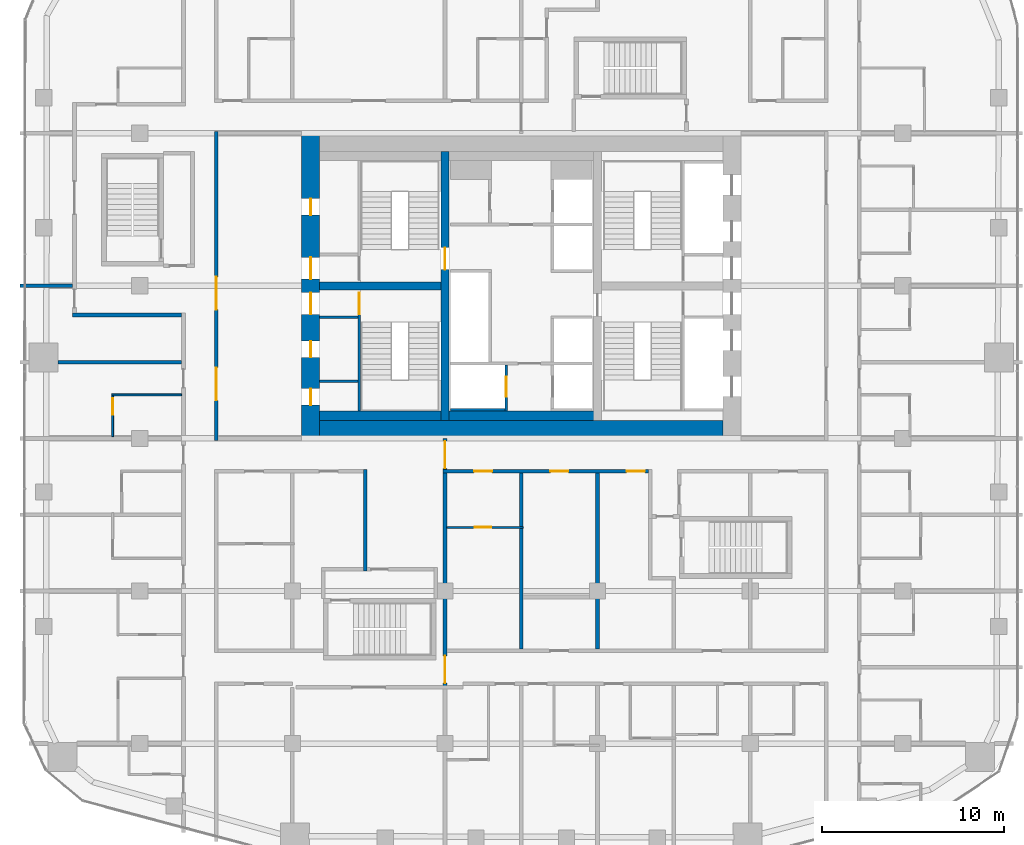
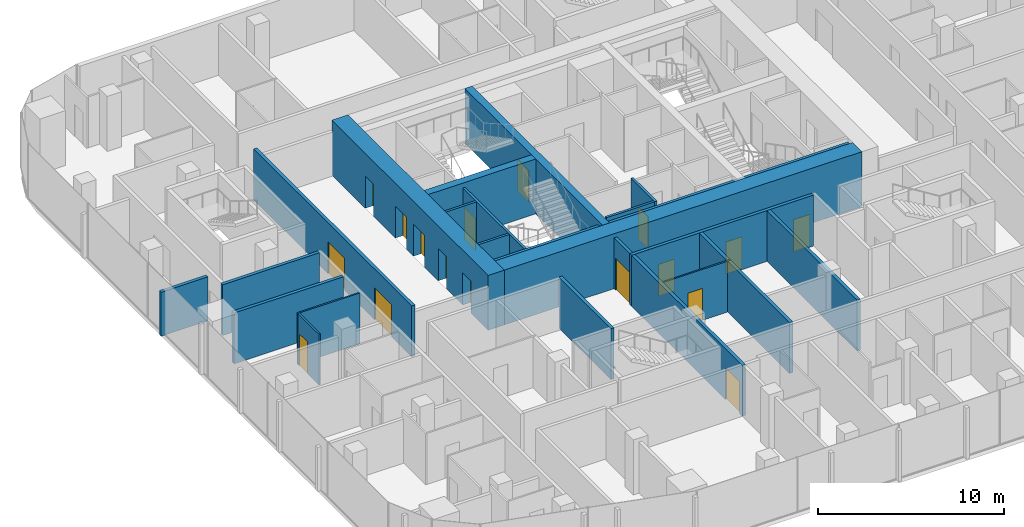
# One storey, part 15 of 23: 22 walls, 17 doors, 17 openings.
"""IFC4 building model written with IfcOpenShell, lengths in metres."""

from ifc_helpers import new_model, si_unit, direction, frame, frame_2d, origin, place, context, subcontext, project, spatial, rectangle, extrude, material, layer, layer_set, type_object, element, fill, save


model = new_model("IFC4")

# Units and contexts
model_context = context("Model", 3, precision=1e-05, world=origin(), true_north=direction((0.0, 1.0)))
body_context = subcontext(model_context, "Body", "Model", "MODEL_VIEW")
ifc_project = project(units=[si_unit("LENGTHUNIT", "METRE"), si_unit("AREAUNIT", "SQUARE_METRE"), si_unit("VOLUMEUNIT", "CUBIC_METRE"), si_unit("PLANEANGLEUNIT", "RADIAN"), si_unit("MASSUNIT", "GRAM", prefix="KILO")], contexts=[model_context])

# Site, building, storey
site_placement = place(None, origin())
site = spatial("IfcSite", under=ifc_project, at=site_placement, CompositionType="ELEMENT")
building_placement = place(site_placement, origin())
building = spatial("IfcBuilding", under=site, at=building_placement, Name="Marenta Gate Hotel Tower", CompositionType="ELEMENT")
storey_placement = place(building_placement, frame((0.0, 0.0, 140.89990234375)))
storey = spatial("IfcBuildingStorey", under=building, at=storey_placement, Name="L32", CompositionType="ELEMENT", Elevation=140.89990234375)

# Wall, openings, doors
ifc_material_1 = material(Name="Concrete blockwork", Category="masonry")
ifc_layer_1 = layer(ifc_material_1, 0.199951171875)
ifc_layer_set_1 = layer_set([ifc_layer_1], Name="Concrete blockwork")
wall_type_1 = type_object("IfcWallType", Name="Compartment wall 200 REI 180", PredefinedType="PARTITIONING", material=ifc_layer_set_1)
wall_1_placement = place(storey_placement, frame((-4.199951171875, -13.800048828125, 0.0), z_axis=(0.0, 0.0, 1.0), x_axis=(0.0, 1.0, 0.0)))
wall_1 = element("IfcWall", 1, at=wall_1_placement, inside=storey, type_object=wall_type_1, Name="L32-PTN-W084", PredefinedType="PARTITIONING", context=body_context, shape_type="SweptSolid", body=[
    extrude(rectangle(XDim=13.800048828125, YDim=0.199951171875, at=frame_2d((6.89990234375, 0.0))), origin(), (0.0, 0.0, 1.0), 3.340087890625),
])
opening_1_placement = place(wall_1_placement, frame((12.14990234375, 0.0, 0.0)))
opening_1 = element("IfcOpeningElement", 2, at=opening_1_placement, cuts=wall_1, Name="Opening G12-FD2", PredefinedType="OPENING", context=body_context, shape_type="SweptSolid", body=[
    extrude(rectangle(XDim=1.5, YDim=2.10009765625, at=frame_2d((0.75, 1.050048828125))), frame((0.0, 0.10009765625, 0.0), z_axis=(0.0, -1.0, 0.0), x_axis=(1.0, 0.0, 0.0)), (0.0, 0.0, 1.0), 0.199951171875),
])
opening_2_placement = place(wall_1_placement, frame((0.324951171875, 0.0, 0.0)))
opening_2 = element("IfcOpeningElement", 3, at=opening_2_placement, cuts=wall_1, Name="Opening G12-FD3", PredefinedType="OPENING", context=body_context, shape_type="SweptSolid", body=[
    extrude(rectangle(XDim=1.5, YDim=2.10009765625, at=frame_2d((0.75, 1.050048828125))), frame((0.0, 0.10009765625, 0.0), z_axis=(0.0, -1.0, 0.0), x_axis=(1.0, 0.0, 0.0)), (0.0, 0.0, 1.0), 0.199951171875),
])
ifc_material_2 = material(Name="Hollow steel door set", Category="steel")
door_type_1 = type_object("IfcDoorType", Name="Compartment fire door 1500x2100 EI 60", OperationType="DOUBLE_DOOR_DOUBLE_SWING", PredefinedType="DOOR", material=ifc_material_2)
door_1_placement = place(opening_1_placement, origin())
door_1 = element("IfcDoor", 4, at=door_1_placement, inside=storey, type_object=door_type_1, Name="L32-PD-FD02", OperationType="DOUBLE_DOOR_DOUBLE_SWING", OverallHeight=2.10009765625, OverallWidth=1.5, PredefinedType="DOOR", context=body_context, shape_type="SweptSolid", body=[
    extrude(rectangle(XDim=1.5, YDim=2.10009765625, at=frame_2d((0.75, 1.050048828125))), frame((0.0, 0.02490234375, 0.0), z_axis=(0.0, -1.0, 0.0), x_axis=(1.0, 0.0, 0.0)), (0.0, 0.0, 1.0), 0.050048828125),
])
fill(opening_1, door_1)
door_2_placement = place(opening_2_placement, origin())
door_2 = element("IfcDoor", 5, at=door_2_placement, inside=storey, type_object=door_type_1, Name="L32-PD-FD03", OperationType="DOUBLE_DOOR_DOUBLE_SWING", OverallHeight=2.10009765625, OverallWidth=1.5, PredefinedType="DOOR", context=body_context, shape_type="SweptSolid", body=[
    extrude(rectangle(XDim=1.5, YDim=2.10009765625, at=frame_2d((0.75, 1.050048828125))), frame((0.0, 0.02490234375, 0.0), z_axis=(0.0, -1.0, 0.0), x_axis=(1.0, 0.0, 0.0)), (0.0, 0.0, 1.0), 0.050048828125),
])
fill(opening_2, door_2)

ifc_material_3 = material(Name="Concrete blockwork", Category="masonry")
ifc_layer_2 = layer(ifc_material_3, 0.199951171875)
ifc_layer_set_2 = layer_set([ifc_layer_2], Name="Concrete blockwork")
wall_type_2 = type_object("IfcWallType", Name="Core boundary wall 200 REI 180", PredefinedType="PARTITIONING", material=ifc_layer_set_2)
wall_2_placement = place(storey_placement, frame((-16.800048828125, -0.10009765625, 0.0), z_axis=(0.0, 0.0, 1.0), x_axis=(0.0, 1.0, 0.0)))
wall_2 = element("IfcWall", 6, at=wall_2_placement, inside=storey, type_object=wall_type_2, Name="L32-CP-BW-W", PredefinedType="PARTITIONING", context=body_context, shape_type="SweptSolid", body=[
    extrude(rectangle(XDim=17.0, YDim=0.199951171875, at=frame_2d((8.5, 0.0))), origin(), (0.0, 0.0, 1.0), 3.340087890625),
])
opening_3_placement = place(wall_2_placement, frame((2.199951171875, 0.0, 0.0)))
opening_3 = element("IfcOpeningElement", 7, at=opening_3_placement, cuts=wall_2, Name="Opening ED-Wa-B", PredefinedType="OPENING", context=body_context, shape_type="SweptSolid", body=[
    extrude(rectangle(XDim=1.800048828125, YDim=2.10009765625, at=frame_2d((0.89990234375, 1.050048828125))), frame((0.0, 0.10009765625, 0.0), z_axis=(0.0, -1.0, 0.0), x_axis=(1.0, 0.0, 0.0)), (0.0, 0.0, 1.0), 0.199951171875),
])
opening_4_placement = place(wall_2_placement, frame((7.199951171875, 0.0, 0.0)))
opening_4 = element("IfcOpeningElement", 8, at=opening_4_placement, cuts=wall_2, Name="Opening ED-Wb-B", PredefinedType="OPENING", context=body_context, shape_type="SweptSolid", body=[
    extrude(rectangle(XDim=1.800048828125, YDim=2.10009765625, at=frame_2d((0.89990234375, 1.050048828125))), frame((0.0, 0.10009765625, 0.0), z_axis=(0.0, -1.0, 0.0), x_axis=(1.0, 0.0, 0.0)), (0.0, 0.0, 1.0), 0.199951171875),
])
ifc_material_4 = material(Name="Steel", Category="steel")
door_type_2 = type_object("IfcDoorType", Name="Core lobby entrance door 1800x2100 EI 60", OperationType="DOUBLE_DOOR_SINGLE_SWING", PredefinedType="DOOR", material=ifc_material_4)
door_3_placement = place(opening_3_placement, origin())
door_3 = element("IfcDoor", 9, at=door_3_placement, inside=storey, type_object=door_type_2, Name="ED-Wa-B", OperationType="DOUBLE_DOOR_SINGLE_SWING", OverallHeight=2.10009765625, OverallWidth=1.800048828125, PredefinedType="DOOR", context=body_context, shape_type="SweptSolid", body=[
    extrude(rectangle(XDim=1.800048828125, YDim=2.10009765625, at=frame_2d((0.89990234375, 1.050048828125))), frame((0.0, 0.02490234375, 0.0), z_axis=(0.0, -1.0, 0.0), x_axis=(1.0, 0.0, 0.0)), (0.0, 0.0, 1.0), 0.050048828125),
])
fill(opening_3, door_3)
door_4_placement = place(opening_4_placement, origin())
door_4 = element("IfcDoor", 10, at=door_4_placement, inside=storey, type_object=door_type_2, Name="ED-Wb-B", OperationType="DOUBLE_DOOR_SINGLE_SWING", OverallHeight=2.10009765625, OverallWidth=1.800048828125, PredefinedType="DOOR", context=body_context, shape_type="SweptSolid", body=[
    extrude(rectangle(XDim=1.800048828125, YDim=2.10009765625, at=frame_2d((0.89990234375, 1.050048828125))), frame((0.0, 0.02490234375, 0.0), z_axis=(0.0, -1.0, 0.0), x_axis=(1.0, 0.0, 0.0)), (0.0, 0.0, 1.0), 0.050048828125),
])
fill(opening_4, door_4)

# Walls
ifc_material_5 = material(Name="Concrete C40", Category="concrete")
ifc_layer_3 = layer(ifc_material_5, 0.5)
ifc_layer_set_3 = layer_set([ifc_layer_3], Name="Concrete C40")
wall_type_3 = type_object("IfcWallType", Name="Core lining wall 500 REI 180", PredefinedType="PARTITIONING", material=ifc_layer_set_3)
wall_3_placement = place(storey_placement, frame((-11.10009765625, 1.25, 0.0), z_axis=(0.0, 0.0, 1.0), x_axis=(1.0, 0.0, 0.0)))
element("IfcWall", 11, at=wall_3_placement, inside=storey, type_object=wall_type_3, Name="L32-CP-LN-S", PredefinedType="PARTITIONING", context=body_context, shape_type="SweptSolid", body=[
    extrude(rectangle(XDim=22.2001953125, YDim=0.5, at=frame_2d((11.10009765625, 0.0))), origin(), (0.0, 0.0, 1.0), 3.340087890625),
])
ifc_material_6 = material(Name="Concrete blockwork", Category="masonry")
ifc_layer_4 = layer(ifc_material_6, 0.14990234375)
ifc_layer_set_4 = layer_set([ifc_layer_4], Name="Concrete blockwork")
wall_type_4 = type_object("IfcWallType", Name="Core room partition 150 REI 180", PredefinedType="PARTITIONING", material=ifc_layer_set_4)
for number, where, z_axis, x_axis, name in (
    (12, (-11.10009765625, 6.675048828125, 0.0), (0.0, 0.0, 1.0), (1.0, 0.0, 0.0), "L32-CP-SW-WS-2"),
    (13, (-11.10009765625, 3.14990234375, 0.0), (0.0, 0.0, 1.0), (1.0, 0.0, 0.0), "L32-CP-RW-WS-1"),
):
    element("IfcWall", number, at=place(storey_placement, frame(where, z_axis=z_axis, x_axis=x_axis)), inside=storey, type_object=wall_type_4, Name=name, PredefinedType="PARTITIONING", context=body_context, shape_type="SweptSolid", body=[
        extrude(rectangle(XDim=2.10009765625, YDim=0.14990234375, at=frame_2d((1.050048828125, 0.0))), origin(), (0.0, 0.0, 1.0), 3.340087890625),
    ])

# Wall, opening, door
ifc_material_7 = material(Name="Concrete C40", Category="concrete")
ifc_layer_5 = layer(ifc_material_7, 0.14990234375)
ifc_layer_set_5 = layer_set([ifc_layer_5], Name="Concrete C40")
wall_type_5 = type_object("IfcWallType", Name="Core shaft wall 150 REI 180", PredefinedType="SHEAR", material=ifc_layer_set_5)
wall_4_placement = place(storey_placement, frame((-0.824951171875, 1.5, 0.0), z_axis=(0.0, 0.0, 1.0), x_axis=(0.0, 1.0, 0.0)))
wall_4 = element("IfcWall", 14, at=wall_4_placement, inside=storey, type_object=wall_type_5, Name="L32-SHF-CW-W-ff", PredefinedType="SHEAR", context=body_context, shape_type="SweptSolid", body=[
    extrude(rectangle(XDim=2.550048828125, YDim=0.14990234375, at=frame_2d((1.27490234375, 0.0))), origin(), (0.0, 0.0, 1.0), 3.60009765625),
])
opening_5_placement = place(wall_4_placement, frame((0.800048828125, 0.0, 0.0)))
opening_5 = element("IfcOpeningElement", 15, at=opening_5_placement, cuts=wall_4, Name="Opening LD-FF1", PredefinedType="OPENING", context=body_context, shape_type="SweptSolid", body=[
    extrude(rectangle(XDim=1.10009765625, YDim=2.10009765625, at=frame_2d((0.550048828125, 1.050048828125))), frame((0.0, 0.074951171875, 0.0), z_axis=(0.0, -1.0, 0.0), x_axis=(1.0, 0.0, 0.0)), (0.0, 0.0, 1.0), 0.14990234375),
])
ifc_material_8 = material(Name="Steel", Category="steel")
door_type_3 = type_object("IfcDoorType", Name="Core lift landing door 1100x2100 E 60", OperationType="SLIDING_TO_LEFT", PredefinedType="DOOR", material=ifc_material_8)
door_5_placement = place(opening_5_placement, origin())
door_5 = element("IfcDoor", 16, at=door_5_placement, inside=storey, type_object=door_type_3, Name="LD-FF1", OperationType="SLIDING_TO_LEFT", OverallHeight=2.10009765625, OverallWidth=1.10009765625, PredefinedType="DOOR", context=body_context, shape_type="SweptSolid", body=[
    extrude(rectangle(XDim=1.10009765625, YDim=2.10009765625, at=frame_2d((0.550048828125, 1.050048828125))), frame((0.0, 0.02490234375, 0.0), z_axis=(0.0, -1.0, 0.0), x_axis=(1.0, 0.0, 0.0)), (0.0, 0.0, 1.0), 0.050048828125),
])
fill(opening_5, door_5)

# Wall
wall_5_placement = place(storey_placement, frame((-3.89990234375, 1.574951171875, 0.0), z_axis=(0.0, 0.0, 1.0), x_axis=(1.0, 0.0, 0.0)))
element("IfcWall", 17, at=wall_5_placement, inside=storey, type_object=wall_type_5, Name="L32-SHF-CW-W-ffs", PredefinedType="SHEAR", context=body_context, shape_type="SweptSolid", body=[
    extrude(rectangle(XDim=3.0, YDim=0.14990234375, at=frame_2d((1.5, 0.0))), origin(), (0.0, 0.0, 1.0), 3.60009765625),
])

# Wall, opening, door
ifc_material_9 = material(Name="Concrete C40", Category="concrete")
ifc_layer_6 = layer(ifc_material_9, 0.14990234375)
ifc_layer_set_6 = layer_set([ifc_layer_6], Name="Concrete C40")
wall_type_6 = type_object("IfcWallType", Name="Core stair enclosure wall 150 REI 180", PredefinedType="SHEAR", material=ifc_layer_set_6)
wall_6_placement = place(storey_placement, frame((-8.925048828125, 1.5, 0.0), z_axis=(0.0, 0.0, 1.0), x_axis=(0.0, 1.0, 0.0)))
wall_6 = element("IfcWall", 18, at=wall_6_placement, inside=storey, type_object=wall_type_6, Name="L32-SHF-SW-WS-3", PredefinedType="SHEAR", context=body_context, shape_type="SweptSolid", body=[
    extrude(rectangle(XDim=6.60009765625, YDim=0.14990234375, at=frame_2d((3.300048828125, 0.0))), origin(), (0.0, 0.0, 1.0), 3.340087890625),
])
opening_6_placement = place(wall_6_placement, frame((5.324951171875, 0.0, 0.0)))
opening_6 = element("IfcOpeningElement", 19, at=opening_6_placement, cuts=wall_6, Name="Opening SD-WS", PredefinedType="OPENING", context=body_context, shape_type="SweptSolid", body=[
    extrude(rectangle(XDim=1.199951171875, YDim=2.10009765625, at=frame_2d((0.60009765625, 1.050048828125))), frame((0.0, 0.074951171875, 0.0), z_axis=(0.0, -1.0, 0.0), x_axis=(1.0, 0.0, 0.0)), (0.0, 0.0, 1.0), 0.14990234375),
])
ifc_material_10 = material(Name="Steel", Category="steel")
door_type_4 = type_object("IfcDoorType", Name="Core stair door 1200x2100 FD60", OperationType="SINGLE_SWING_LEFT", PredefinedType="DOOR", material=ifc_material_10)
door_6_placement = place(opening_6_placement, origin())
door_6 = element("IfcDoor", 20, at=door_6_placement, inside=storey, type_object=door_type_4, Name="SD-WS", OperationType="SINGLE_SWING_LEFT", OverallHeight=2.10009765625, OverallWidth=1.199951171875, PredefinedType="DOOR", context=body_context, shape_type="SweptSolid", body=[
    extrude(rectangle(XDim=1.199951171875, YDim=2.10009765625, at=frame_2d((0.60009765625, 1.050048828125))), frame((0.0, 0.02490234375, 0.0), z_axis=(0.0, -1.0, 0.0), x_axis=(1.0, 0.0, 0.0)), (0.0, 0.0, 1.0), 0.050048828125),
])
fill(opening_6, door_6)

# Wall, openings, doors
ifc_material_11 = material(Name="Concrete C70", Category="concrete")
ifc_layer_7 = layer(ifc_material_11, 1.0)
ifc_layer_set_7 = layer_set([ifc_layer_7], Name="Concrete C70")
wall_type_7 = type_object("IfcWallType", Name="Core wall 1000 C70", PredefinedType="SHEAR", material=ifc_layer_set_7)
wall_7_placement = place(storey_placement, frame((-11.60009765625, 0.0, 0.0), z_axis=(0.0, 0.0, 1.0), x_axis=(0.0, 1.0, 0.0)))
wall_7 = element("IfcWall", 21, at=wall_7_placement, inside=storey, type_object=wall_type_7, Name="L32-CORE-W", PredefinedType="SHEAR", context=body_context, shape_type="SweptSolid", body=[
    extrude(rectangle(XDim=16.800048828125, YDim=1.0, at=frame_2d((8.39990234375, 0.0))), origin(), (0.0, 0.0, 1.0), 3.60009765625),
])
opening_7_placement = place(wall_7_placement, frame((1.83740234375, 0.0, 0.0)))
opening_7 = element("IfcOpeningElement", 22, at=opening_7_placement, cuts=wall_7, Name="Opening RD-WS-1", PredefinedType="OPENING", context=body_context, shape_type="SweptSolid", body=[
    extrude(rectangle(XDim=0.89990234375, YDim=2.10009765625, at=frame_2d((0.449951171875, 1.050048828125))), frame((0.0, 0.5, 0.0), z_axis=(0.0, -1.0, 0.0), x_axis=(1.0, 0.0, 0.0)), (0.0, 0.0, 1.0), 1.0),
])
opening_8_placement = place(wall_7_placement, frame((4.46240234375, 0.0, 0.0)))
opening_8 = element("IfcOpeningElement", 23, at=opening_8_placement, cuts=wall_7, Name="Opening RD-WS-2", PredefinedType="OPENING", context=body_context, shape_type="SweptSolid", body=[
    extrude(rectangle(XDim=0.89990234375, YDim=2.10009765625, at=frame_2d((0.449951171875, 1.050048828125))), frame((0.0, 0.5, 0.0), z_axis=(0.0, -1.0, 0.0), x_axis=(1.0, 0.0, 0.0)), (0.0, 0.0, 1.0), 1.0),
])
opening_9_placement = place(wall_7_placement, frame((6.824951171875, 0.0, 0.0)))
opening_9 = element("IfcOpeningElement", 24, at=opening_9_placement, cuts=wall_7, Name="Opening PD-WS", PredefinedType="OPENING", context=body_context, shape_type="SweptSolid", body=[
    extrude(rectangle(XDim=1.199951171875, YDim=2.10009765625, at=frame_2d((0.60009765625, 1.050048828125))), frame((0.0, 0.5, 0.0), z_axis=(0.0, -1.0, 0.0), x_axis=(1.0, 0.0, 0.0)), (0.0, 0.0, 1.0), 1.0),
])
opening_10_placement = place(wall_7_placement, frame((12.300048828125, 0.0, 0.0)))
opening_10 = element("IfcOpeningElement", 25, at=opening_10_placement, cuts=wall_7, Name="Opening RD-WN-1", PredefinedType="OPENING", context=body_context, shape_type="SweptSolid", body=[
    extrude(rectangle(XDim=0.89990234375, YDim=2.10009765625, at=frame_2d((0.449951171875, 1.050048828125))), frame((0.0, 0.5, 0.0), z_axis=(0.0, -1.0, 0.0), x_axis=(1.0, 0.0, 0.0)), (0.0, 0.0, 1.0), 1.0),
])
opening_11_placement = place(wall_7_placement, frame((8.77490234375, 0.0, 0.0)))
opening_11 = element("IfcOpeningElement", 26, at=opening_11_placement, cuts=wall_7, Name="Opening PD-WN", PredefinedType="OPENING", context=body_context, shape_type="SweptSolid", body=[
    extrude(rectangle(XDim=1.199951171875, YDim=2.10009765625, at=frame_2d((0.60009765625, 1.050048828125))), frame((0.0, 0.5, 0.0), z_axis=(0.0, -1.0, 0.0), x_axis=(1.0, 0.0, 0.0)), (0.0, 0.0, 1.0), 1.0),
])
ifc_material_12 = material(Name="Steel", Category="steel")
door_type_5 = type_object("IfcDoorType", Name="Core lobby door 1200x2100 FD60", OperationType="SINGLE_SWING_LEFT", PredefinedType="DOOR", material=ifc_material_12)
door_7_placement = place(opening_9_placement, origin())
door_7 = element("IfcDoor", 27, at=door_7_placement, inside=storey, type_object=door_type_5, Name="PD-WS", OperationType="SINGLE_SWING_LEFT", OverallHeight=2.10009765625, OverallWidth=1.199951171875, PredefinedType="DOOR", context=body_context, shape_type="SweptSolid", body=[
    extrude(rectangle(XDim=1.199951171875, YDim=2.10009765625, at=frame_2d((0.60009765625, 1.050048828125))), frame((0.0, 0.02490234375, 0.0), z_axis=(0.0, -1.0, 0.0), x_axis=(1.0, 0.0, 0.0)), (0.0, 0.0, 1.0), 0.050048828125),
])
fill(opening_9, door_7)
door_8_placement = place(opening_11_placement, origin())
door_8 = element("IfcDoor", 28, at=door_8_placement, inside=storey, type_object=door_type_5, Name="PD-WN", OperationType="SINGLE_SWING_LEFT", OverallHeight=2.10009765625, OverallWidth=1.199951171875, PredefinedType="DOOR", context=body_context, shape_type="SweptSolid", body=[
    extrude(rectangle(XDim=1.199951171875, YDim=2.10009765625, at=frame_2d((0.60009765625, 1.050048828125))), frame((0.0, 0.02490234375, 0.0), z_axis=(0.0, -1.0, 0.0), x_axis=(1.0, 0.0, 0.0)), (0.0, 0.0, 1.0), 0.050048828125),
])
fill(opening_11, door_8)
ifc_material_13 = material(Name="Steel", Category="steel")
door_type_6 = type_object("IfcDoorType", Name="Core service room door 900x2100 FD30S", OperationType="SINGLE_SWING_LEFT", PredefinedType="DOOR", material=ifc_material_13)
door_9_placement = place(opening_7_placement, origin())
door_9 = element("IfcDoor", 29, at=door_9_placement, inside=storey, type_object=door_type_6, Name="RD-WS-1", OperationType="SINGLE_SWING_LEFT", OverallHeight=2.10009765625, OverallWidth=0.89990234375, PredefinedType="DOOR", context=body_context, shape_type="SweptSolid", body=[
    extrude(rectangle(XDim=0.89990234375, YDim=2.10009765625, at=frame_2d((0.449951171875, 1.050048828125))), frame((0.0, 0.02490234375, 0.0), z_axis=(0.0, -1.0, 0.0), x_axis=(1.0, 0.0, 0.0)), (0.0, 0.0, 1.0), 0.050048828125),
])
fill(opening_7, door_9)
door_10_placement = place(opening_8_placement, origin())
door_10 = element("IfcDoor", 30, at=door_10_placement, inside=storey, type_object=door_type_6, Name="RD-WS-2", OperationType="SINGLE_SWING_LEFT", OverallHeight=2.10009765625, OverallWidth=0.89990234375, PredefinedType="DOOR", context=body_context, shape_type="SweptSolid", body=[
    extrude(rectangle(XDim=0.89990234375, YDim=2.10009765625, at=frame_2d((0.449951171875, 1.050048828125))), frame((0.0, 0.02490234375, 0.0), z_axis=(0.0, -1.0, 0.0), x_axis=(1.0, 0.0, 0.0)), (0.0, 0.0, 1.0), 0.050048828125),
])
fill(opening_8, door_10)
door_11_placement = place(opening_10_placement, origin())
door_11 = element("IfcDoor", 31, at=door_11_placement, inside=storey, type_object=door_type_6, Name="RD-WN-1", OperationType="SINGLE_SWING_LEFT", OverallHeight=2.10009765625, OverallWidth=0.89990234375, PredefinedType="DOOR", context=body_context, shape_type="SweptSolid", body=[
    extrude(rectangle(XDim=0.89990234375, YDim=2.10009765625, at=frame_2d((0.449951171875, 1.050048828125))), frame((0.0, 0.02490234375, 0.0), z_axis=(0.0, -1.0, 0.0), x_axis=(1.0, 0.0, 0.0)), (0.0, 0.0, 1.0), 0.050048828125),
])
fill(opening_10, door_11)

# Wall
wall_8_placement = place(storey_placement, frame((-11.10009765625, 0.5, 0.0), z_axis=(0.0, 0.0, 1.0), x_axis=(1.0, 0.0, 0.0)))
element("IfcWall", 32, at=wall_8_placement, inside=storey, type_object=wall_type_7, Name="L32-CORE-S", PredefinedType="SHEAR", context=body_context, shape_type="SweptSolid", body=[
    extrude(rectangle(XDim=22.2001953125, YDim=1.0, at=frame_2d((11.10009765625, 0.0))), origin(), (0.0, 0.0, 1.0), 3.60009765625),
])

# Wall, opening, door
ifc_material_14 = material(Name="Concrete C70", Category="concrete")
ifc_layer_8 = layer(ifc_material_14, 0.449951171875)
ifc_layer_set_8 = layer_set([ifc_layer_8], Name="Concrete C70")
wall_type_8 = type_object("IfcWallType", Name="Core web 450 C70", PredefinedType="SHEAR", material=ifc_layer_set_8)
wall_9_placement = place(storey_placement, frame((-4.199951171875, 1.0, 0.0), z_axis=(0.0, 0.0, 1.0), x_axis=(0.0, 1.0, 0.0)))
wall_9 = element("IfcWall", 33, at=wall_9_placement, inside=storey, type_object=wall_type_8, Name="L32-CORE-W1", PredefinedType="SHEAR", context=body_context, shape_type="SweptSolid", body=[
    extrude(rectangle(XDim=14.800048828125, YDim=0.449951171875, at=frame_2d((7.39990234375, 0.0))), origin(), (0.0, 0.0, 1.0), 3.60009765625),
])
opening_12_placement = place(wall_9_placement, frame((8.300048828125, 0.0, 0.0)))
opening_12 = element("IfcOpeningElement", 34, at=opening_12_placement, cuts=wall_9, Name="Opening WD-W", PredefinedType="OPENING", context=body_context, shape_type="SweptSolid", body=[
    extrude(rectangle(XDim=1.199951171875, YDim=2.10009765625, at=frame_2d((0.60009765625, 1.050048828125))), frame((0.0, 0.22509765625, 0.0), z_axis=(0.0, -1.0, 0.0), x_axis=(1.0, 0.0, 0.0)), (0.0, 0.0, 1.0), 0.449951171875),
])
door_12_placement = place(opening_12_placement, origin())
door_12 = element("IfcDoor", 35, at=door_12_placement, inside=storey, type_object=door_type_4, Name="WD-W", OperationType="SINGLE_SWING_LEFT", OverallHeight=2.10009765625, OverallWidth=1.199951171875, PredefinedType="DOOR", context=body_context, shape_type="SweptSolid", body=[
    extrude(rectangle(XDim=1.199951171875, YDim=2.10009765625, at=frame_2d((0.60009765625, 1.050048828125))), frame((0.0, 0.02490234375, 0.0), z_axis=(0.0, -1.0, 0.0), x_axis=(1.0, 0.0, 0.0)), (0.0, 0.0, 1.0), 0.050048828125),
])
fill(opening_12, door_12)

# Wall
wall_10_placement = place(storey_placement, frame((-11.10009765625, 8.39990234375, 0.0), z_axis=(0.0, 0.0, 1.0), x_axis=(1.0, 0.0, 0.0)))
element("IfcWall", 36, at=wall_10_placement, inside=storey, type_object=wall_type_8, Name="L32-CORE-W3", PredefinedType="SHEAR", context=body_context, shape_type="SweptSolid", body=[
    extrude(rectangle(XDim=6.675048828125, YDim=0.449951171875, at=frame_2d((3.33740234375, 0.0))), origin(), (0.0, 0.0, 1.0), 3.60009765625),
])

# Wall, openings, doors
ifc_material_15 = material(Name="Concrete blockwork", Category="masonry")
ifc_layer_9 = layer(ifc_material_15, 0.199951171875)
ifc_layer_set_9 = layer_set([ifc_layer_9], Name="Concrete blockwork")
wall_type_9 = type_object("IfcWallType", Name="Room corridor wall 200 EI 120", PredefinedType="PARTITIONING", material=ifc_layer_set_9)
wall_11_placement = place(storey_placement, frame((-4.300048828125, -1.800048828125, 0.0), z_axis=(0.0, 0.0, 1.0), x_axis=(1.0, 0.0, 0.0)))
wall_11 = element("IfcWall", 37, at=wall_11_placement, inside=storey, type_object=wall_type_9, Name="L32-PTN-W070", PredefinedType="PARTITIONING", context=body_context, shape_type="SweptSolid", body=[
    extrude(rectangle(XDim=11.300048828125, YDim=0.199951171875, at=frame_2d((5.64990234375, 0.0))), origin(), (0.0, 0.0, 1.0), 3.340087890625),
])
opening_13_placement = place(wall_11_placement, frame((1.699951171875, 0.0, 0.0)))
opening_13 = element("IfcOpeningElement", 38, at=opening_13_placement, cuts=wall_11, Name="Opening G12-04", PredefinedType="OPENING", context=body_context, shape_type="SweptSolid", body=[
    extrude(rectangle(XDim=1.0, YDim=2.10009765625, at=frame_2d((0.5, 1.050048828125))), frame((0.0, 0.10009765625, 0.0), z_axis=(0.0, -1.0, 0.0), x_axis=(1.0, 0.0, 0.0)), (0.0, 0.0, 1.0), 0.199951171875),
])
opening_14_placement = place(wall_11_placement, frame((10.10009765625, 0.0, 0.0)))
opening_14 = element("IfcOpeningElement", 39, at=opening_14_placement, cuts=wall_11, Name="Opening G12-06", PredefinedType="OPENING", context=body_context, shape_type="SweptSolid", body=[
    extrude(rectangle(XDim=1.0, YDim=2.10009765625, at=frame_2d((0.5, 1.050048828125))), frame((0.0, 0.10009765625, 0.0), z_axis=(0.0, -1.0, 0.0), x_axis=(1.0, 0.0, 0.0)), (0.0, 0.0, 1.0), 0.199951171875),
])
opening_15_placement = place(wall_11_placement, frame((5.89990234375, 0.0, 0.0)))
opening_15 = element("IfcOpeningElement", 40, at=opening_15_placement, cuts=wall_11, Name="Opening G12-73", PredefinedType="OPENING", context=body_context, shape_type="SweptSolid", body=[
    extrude(rectangle(XDim=1.0, YDim=2.10009765625, at=frame_2d((0.5, 1.050048828125))), frame((0.0, 0.10009765625, 0.0), z_axis=(0.0, -1.0, 0.0), x_axis=(1.0, 0.0, 0.0)), (0.0, 0.0, 1.0), 0.199951171875),
])
ifc_material_16 = material(Name="Timber door leaf", Category="wood")
door_type_7 = type_object("IfcDoorType", Name="Room amenity door 1000x2100 EI 60", OperationType="NOTDEFINED", PredefinedType="DOOR", material=ifc_material_16)
door_13_placement = place(opening_14_placement, origin())
door_13 = element("IfcDoor", 41, at=door_13_placement, inside=storey, type_object=door_type_7, Name="L32-PD-D006", OperationType="SINGLE_SWING_LEFT", OverallHeight=2.10009765625, OverallWidth=1.0, PredefinedType="DOOR", context=body_context, shape_type="SweptSolid", body=[
    extrude(rectangle(XDim=1.0, YDim=2.10009765625, at=frame_2d((0.5, 1.050048828125))), frame((0.0, 0.02490234375, 0.0), z_axis=(0.0, -1.0, 0.0), x_axis=(1.0, 0.0, 0.0)), (0.0, 0.0, 1.0), 0.050048828125),
])
fill(opening_14, door_13)
door_14_placement = place(opening_15_placement, origin())
door_14 = element("IfcDoor", 42, at=door_14_placement, inside=storey, type_object=door_type_7, Name="L32-PD-D073", OperationType="SINGLE_SWING_LEFT", OverallHeight=2.10009765625, OverallWidth=1.0, PredefinedType="DOOR", context=body_context, shape_type="SweptSolid", body=[
    extrude(rectangle(XDim=1.0, YDim=2.10009765625, at=frame_2d((0.5, 1.050048828125))), frame((0.0, 0.02490234375, 0.0), z_axis=(0.0, -1.0, 0.0), x_axis=(1.0, 0.0, 0.0)), (0.0, 0.0, 1.0), 0.050048828125),
])
fill(opening_15, door_14)
ifc_material_17 = material(Name="Hollow steel door set", Category="steel")
door_type_8 = type_object("IfcDoorType", Name="Room service door 1000x2100 EI 60", OperationType="NOTDEFINED", PredefinedType="DOOR", material=ifc_material_17)
door_15_placement = place(opening_13_placement, origin())
door_15 = element("IfcDoor", 43, at=door_15_placement, inside=storey, type_object=door_type_8, Name="L32-PD-D004", OperationType="SINGLE_SWING_RIGHT", OverallHeight=2.10009765625, OverallWidth=1.0, PredefinedType="DOOR", context=body_context, shape_type="SweptSolid", body=[
    extrude(rectangle(XDim=1.0, YDim=2.10009765625, at=frame_2d((0.5, 1.050048828125))), frame((0.0, 0.02490234375, 0.0), z_axis=(0.0, -1.0, 0.0), x_axis=(1.0, 0.0, 0.0)), (0.0, 0.0, 1.0), 0.050048828125),
])
fill(opening_13, door_15)

# Walls
ifc_material_18 = material(Name="Gypsum board on steel stud", Category="steel")
ifc_layer_10 = layer(ifc_material_18, 0.199951171875)
ifc_layer_set_10 = layer_set([ifc_layer_10], Name="Gypsum board on steel stud")
wall_type_10 = type_object("IfcWallType", Name="Room corridor wall 200 EI 60", PredefinedType="PARTITIONING", material=ifc_layer_set_10)
wall_12_placement = place(storey_placement, frame((-24.699951171875, 6.800048828125, 0.0), z_axis=(0.0, 0.0, 1.0), x_axis=(1.0, 0.0, 0.0)))
element("IfcWall", 44, at=wall_12_placement, inside=storey, type_object=wall_type_10, Name="L32-PTN-W089", PredefinedType="PARTITIONING", context=body_context, shape_type="SweptSolid", body=[
    extrude(rectangle(XDim=6.0, YDim=0.199951171875, at=frame_2d((3.0, 0.0))), origin(), (0.0, 0.0, 1.0), 3.340087890625),
])
wall_13_placement = place(storey_placement, frame((-8.60009765625, -7.300048828125, 0.0), z_axis=(0.0, 0.0, 1.0), x_axis=(0.0, 1.0, 0.0)))
element("IfcWall", 45, at=wall_13_placement, inside=storey, type_object=wall_type_10, Name="L32-PTN-W092", PredefinedType="PARTITIONING", context=body_context, shape_type="SweptSolid", body=[
    extrude(rectangle(XDim=5.60009765625, YDim=0.199951171875, at=frame_2d((2.800048828125, 0.0))), origin(), (0.0, 0.0, 1.0), 3.340087890625),
])

# Wall, opening, door
ifc_material_19 = material(Name="Gypsum board on steel stud", Category="steel")
ifc_layer_11 = layer(ifc_material_19, 0.10009765625)
ifc_layer_set_11 = layer_set([ifc_layer_11], Name="Gypsum board on steel stud")
wall_type_11 = type_object("IfcWallType", Name="Room partition 100", PredefinedType="PARTITIONING", material=ifc_layer_set_11)
wall_14_placement = place(storey_placement, frame((-4.10009765625, -4.89990234375, 0.0), z_axis=(0.0, 0.0, 1.0), x_axis=(1.0, 0.0, 0.0)))
wall_14 = element("IfcWall", 46, at=wall_14_placement, inside=storey, type_object=wall_type_11, Name="L32-PTN-W058", PredefinedType="PARTITIONING", context=body_context, shape_type="SweptSolid", body=[
    extrude(rectangle(XDim=4.2001953125, YDim=0.10009765625, at=frame_2d((2.10009765625, 0.0))), origin(), (0.0, 0.0, 1.0), 3.340087890625),
])
opening_16_placement = place(wall_14_placement, frame((1.550048828125, 0.0, 0.0)))
opening_16 = element("IfcOpeningElement", 47, at=opening_16_placement, cuts=wall_14, Name="Opening G12-05", PredefinedType="OPENING", context=body_context, shape_type="SweptSolid", body=[
    extrude(rectangle(XDim=0.89990234375, YDim=2.10009765625, at=frame_2d((0.449951171875, 1.050048828125))), frame((0.0, 0.050048828125, 0.0), z_axis=(0.0, -1.0, 0.0), x_axis=(1.0, 0.0, 0.0)), (0.0, 0.0, 1.0), 0.10009765625),
])
ifc_material_20 = material(Name="Timber door leaf", Category="wood")
door_type_9 = type_object("IfcDoorType", Name="Room inner door 900x2100", OperationType="NOTDEFINED", PredefinedType="DOOR", material=ifc_material_20)
door_16_placement = place(opening_16_placement, origin())
door_16 = element("IfcDoor", 48, at=door_16_placement, inside=storey, type_object=door_type_9, Name="L32-PD-D005", OperationType="SINGLE_SWING_LEFT", OverallHeight=2.10009765625, OverallWidth=0.89990234375, PredefinedType="DOOR", context=body_context, shape_type="SweptSolid", body=[
    extrude(rectangle(XDim=0.89990234375, YDim=2.10009765625, at=frame_2d((0.449951171875, 1.050048828125))), frame((0.0, 0.02490234375, 0.0), z_axis=(0.0, -1.0, 0.0), x_axis=(1.0, 0.0, 0.0)), (0.0, 0.0, 1.0), 0.050048828125),
])
fill(opening_16, door_16)

# Wall
wall_15_placement = place(storey_placement, frame((-22.550048828125, 2.39990234375, 0.0), z_axis=(0.0, 0.0, 1.0), x_axis=(1.0, 0.0, 0.0)))
element("IfcWall", 49, at=wall_15_placement, inside=storey, type_object=wall_type_11, Name="L32-PTN-W080", PredefinedType="PARTITIONING", context=body_context, shape_type="SweptSolid", body=[
    extrude(rectangle(XDim=3.85009765625, YDim=0.10009765625, at=frame_2d((1.925048828125, 0.0))), origin(), (0.0, 0.0, 1.0), 3.340087890625),
])

# Wall, opening, door
wall_16_placement = place(storey_placement, frame((-22.5, 0.10009765625, 0.0), z_axis=(0.0, 0.0, 1.0), x_axis=(0.0, 1.0, 0.0)))
wall_16 = element("IfcWall", 50, at=wall_16_placement, inside=storey, type_object=wall_type_11, Name="L32-PTN-W126", PredefinedType="PARTITIONING", context=body_context, shape_type="SweptSolid", body=[
    extrude(rectangle(XDim=2.25, YDim=0.10009765625, at=frame_2d((1.125, 0.0))), origin(), (0.0, 0.0, 1.0), 3.340087890625),
])
opening_17_placement = place(wall_16_placement, frame((1.199951171875, 0.0, 0.0)))
opening_17 = element("IfcOpeningElement", 51, at=opening_17_placement, cuts=wall_16, Name="Opening G12-60", PredefinedType="OPENING", context=body_context, shape_type="SweptSolid", body=[
    extrude(rectangle(XDim=0.89990234375, YDim=2.10009765625, at=frame_2d((0.449951171875, 1.050048828125))), frame((0.0, 0.050048828125, 0.0), z_axis=(0.0, -1.0, 0.0), x_axis=(1.0, 0.0, 0.0)), (0.0, 0.0, 1.0), 0.10009765625),
])
ifc_material_21 = material(Name="Timber door leaf", Category="wood")
door_type_10 = type_object("IfcDoorType", Name="Guest bathroom door 900x2100", OperationType="NOTDEFINED", PredefinedType="DOOR", material=ifc_material_21)
door_17_placement = place(opening_17_placement, origin())
door_17 = element("IfcDoor", 52, at=door_17_placement, inside=storey, type_object=door_type_10, Name="L32-PD-D060", OperationType="SINGLE_SWING_LEFT", OverallHeight=2.10009765625, OverallWidth=0.89990234375, PredefinedType="DOOR", context=body_context, shape_type="SweptSolid", body=[
    extrude(rectangle(XDim=0.89990234375, YDim=2.10009765625, at=frame_2d((0.449951171875, 1.050048828125))), frame((0.0, 0.02490234375, 0.0), z_axis=(0.0, -1.0, 0.0), x_axis=(1.0, 0.0, 0.0)), (0.0, 0.0, 1.0), 0.050048828125),
])
fill(opening_17, door_17)

# Walls
ifc_material_22 = material(Name="Concrete blockwork", Category="masonry")
ifc_layer_12 = layer(ifc_material_22, 0.199951171875)
ifc_layer_set_12 = layer_set([ifc_layer_12], Name="Concrete blockwork")
wall_type_12 = type_object("IfcWallType", Name="Room party wall 200 EI 120", PredefinedType="PARTITIONING", material=ifc_layer_set_12)
wall_17_placement = place(storey_placement, frame((0.0, -11.60009765625, 0.0), z_axis=(0.0, 0.0, 1.0), x_axis=(0.0, 1.0, 0.0)))
element("IfcWall", 53, at=wall_17_placement, inside=storey, type_object=wall_type_12, Name="L32-PTN-W074", PredefinedType="PARTITIONING", context=body_context, shape_type="SweptSolid", body=[
    extrude(rectangle(XDim=9.7001953125, YDim=0.199951171875, at=frame_2d((4.85009765625, 0.0))), origin(), (0.0, 0.0, 1.0), 3.340087890625),
])
ifc_material_23 = material(Name="Gypsum board on steel stud", Category="steel")
ifc_layer_13 = layer(ifc_material_23, 0.199951171875)
ifc_layer_set_13 = layer_set([ifc_layer_13], Name="Gypsum board on steel stud")
wall_type_13 = type_object("IfcWallType", Name="Room party wall 200 EI 60", PredefinedType="PARTITIONING", material=ifc_layer_set_13)
wall_18_placement = place(storey_placement, frame((4.199951171875, -11.60009765625, 0.0), z_axis=(0.0, 0.0, 1.0), x_axis=(0.0, 1.0, 0.0)))
element("IfcWall", 54, at=wall_18_placement, inside=storey, type_object=wall_type_13, Name="L32-PTN-W061", PredefinedType="PARTITIONING", context=body_context, shape_type="SweptSolid", body=[
    extrude(rectangle(XDim=9.7001953125, YDim=0.199951171875, at=frame_2d((4.85009765625, 0.0))), origin(), (0.0, 0.0, 1.0), 3.340087890625),
])
wall_19_placement = place(storey_placement, frame((-25.5, 4.199951171875, 0.0), z_axis=(0.0, 0.0, 1.0), x_axis=(1.0, 0.0, 0.0)))
element("IfcWall", 55, at=wall_19_placement, inside=storey, type_object=wall_type_13, Name="L32-PTN-W134", PredefinedType="PARTITIONING", context=body_context, shape_type="SweptSolid", body=[
    extrude(rectangle(XDim=6.800048828125, YDim=0.199951171875, at=frame_2d((3.39990234375, 0.0))), origin(), (0.0, 0.0, 1.0), 3.340087890625),
])
wall_20_placement = place(storey_placement, frame((-27.60009765625, 8.39990234375, 0.0), z_axis=(0.0, 0.0, 1.0), x_axis=(1.0, 0.0, 0.0)))
element("IfcWall", 56, at=wall_20_placement, inside=storey, type_object=wall_type_13, Name="L32-PTN-W090", PredefinedType="PARTITIONING", context=body_context, shape_type="SweptSolid", body=[
    extrude(rectangle(XDim=2.900146484375, YDim=0.199951171875, at=frame_2d((1.4501953125, 0.0))), origin(), (0.0, 0.0, 1.0), 2.89013671875),
])

save(model, "model.ifc")
